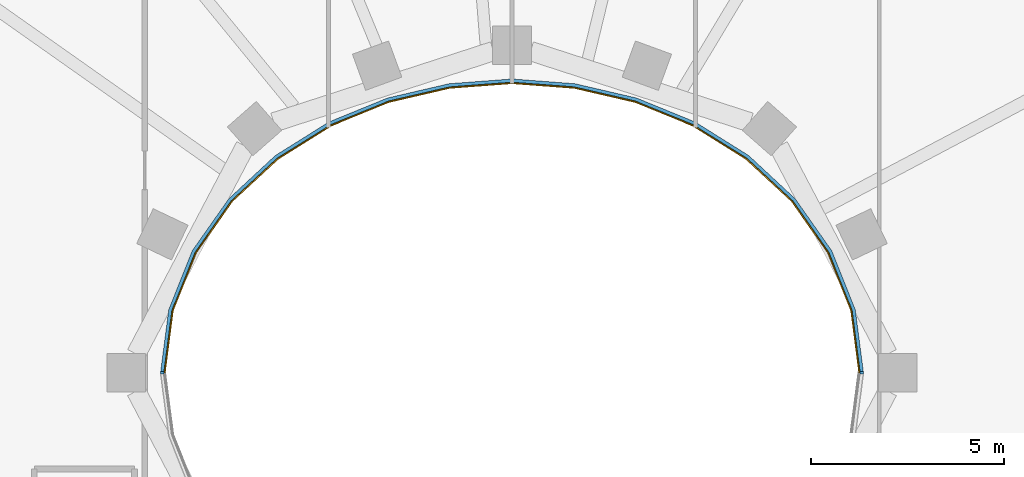
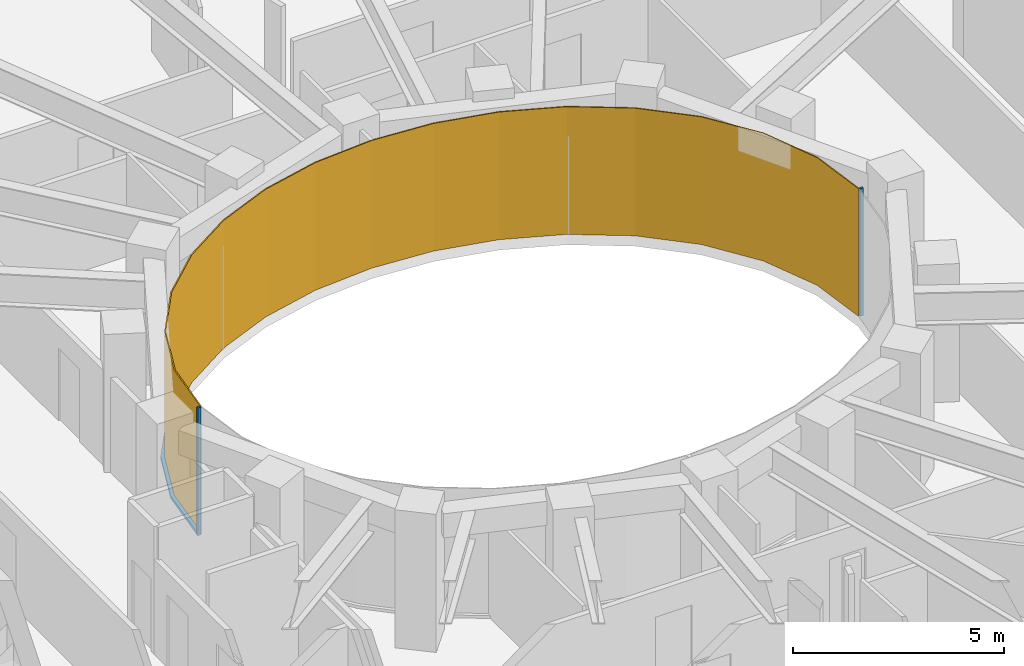
# One storey, part 12 of 19: 3 members, 1 curtain wall.
"""IFC4 building model written with IfcOpenShell, lengths in metres."""

from ifc_helpers import new_model, si_unit, direction, frame, origin, origin_2d, place, context, subcontext, project, spatial, polyline, rectangle, outline, extrude, material, layer, layer_set, material_profile, profile_set, type_object, element, aggregate, save


model = new_model("IFC4")

# Units and contexts
model_context = context("Model", 3, precision=1e-05, world=origin(), true_north=direction((0.0, 1.0)))
body_context = subcontext(model_context, "Body", "Model", "MODEL_VIEW")
ifc_project = project(units=[si_unit("LENGTHUNIT", "METRE"), si_unit("AREAUNIT", "SQUARE_METRE"), si_unit("VOLUMEUNIT", "CUBIC_METRE"), si_unit("PLANEANGLEUNIT", "RADIAN"), si_unit("MASSUNIT", "GRAM", prefix="KILO")], contexts=[model_context])

# Member
ifc_material_1 = material(Name="Steel S355 fire-resisting frame", Category="steel")
ifc_material_profile = material_profile(ifc_material_1, rectangle(XDim=0.090087890625, YDim=0.06005859375, at=origin_2d()), Name="90x60")
ifc_profile_set = profile_set([ifc_material_profile], Name="Steel S355 fire-resisting frame")
member_type_1 = type_object("IfcMemberType", Name="ENV-MULLION-W-90", PredefinedType="MULLION", material=ifc_profile_set)
site_placement = place(None, origin())
building_placement = place(site_placement, origin())
storey_placement = place(building_placement, frame((0.0, 0.0, 233.5)))
member_1_placement = place(storey_placement, frame((9.076904296875, 0.0, 0.0), z_axis=(0.0, 0.0, 1.0), x_axis=(1.0, 0.0, 0.0)))
member_1 = element("IfcMember", 1, at=member_1_placement, type_object=member_type_1, Name="Mullion W well vertex 01", PredefinedType="MULLION", context=body_context, shape_type="SweptSolid", body=[
    extrude(rectangle(XDim=0.090087890625, YDim=0.06005859375, at=origin_2d()), origin(), (0.0, 0.0, 1.0), 3.699951171875),
])

member_2_placement = place(storey_placement, frame((-9.076904296875, 0.0, 0.0), z_axis=(0.0, 0.0, 1.0), x_axis=(-1.0, 0.0, 0.0)))
member_2 = element("IfcMember", 2, at=member_2_placement, type_object=member_type_1, Name="Mullion W well vertex 17", PredefinedType="MULLION", context=body_context, shape_type="SweptSolid", body=[
    extrude(rectangle(XDim=0.090087890625, YDim=0.06005859375, at=origin_2d()), origin(), (0.0, 0.0, 1.0), 3.699951171875),
])

ifc_material_2 = material(Name="Steel S355 fire-resisting frame", Category="steel")
member_type_2 = type_object("IfcMemberType", Name="ENV-TRANSOM-W", PredefinedType="USERDEFINED", material=ifc_material_2)
member_3_placement = place(storey_placement, origin())
member_3 = element("IfcMember", 3, at=member_3_placement, type_object=member_type_2, Name="Transom W well 01-17", ObjectType="TRANSOM", PredefinedType="USERDEFINED", context=body_context, shape_type="SweptSolid", body=[
    extrude(outline(polyline([(9.119384765625, 0.02783203125), (8.910400390625, 1.63623046875), (8.29833984375, 3.167236328125), (7.35107421875, 4.5146484375), (6.1455078125, 5.6337890625), (4.75341796875, 6.50634765625), (3.233642578125, 7.127685546875), (1.635498046875, 7.498779296875), (0.0, 7.622314453125), (-1.635498046875, 7.498779296875), (-3.233642578125, 7.127685546875), (-4.75341796875, 6.50634765625), (-6.1455078125, 5.6337890625), (-7.35107421875, 4.5146484375), (-8.29833984375, 3.167236328125), (-8.910400390625, 1.63623046875), (-9.119384765625, 0.02783203125), (-9.02880859375, 0.02783203125), (-8.822509765625, 1.61328125), (-8.21875, 3.124267578125), (-7.282958984375, 4.455078125), (-6.090576171875, 5.56201171875), (-4.712158203125, 6.426025390625), (-3.206298828125, 7.04150390625), (-1.621826171875, 7.40966796875), (0.0, 7.531982421875), (1.621826171875, 7.40966796875), (3.206298828125, 7.04150390625), (4.712158203125, 6.426025390625), (6.090576171875, 5.56201171875), (7.282958984375, 4.455078125), (8.21875, 3.124267578125), (8.822509765625, 1.61328125), (9.02880859375, 0.02783203125), (9.119384765625, 0.02783203125)])), origin(), (0.0, 0.0, 1.0), 0.080078125),
])

# Site, building, storey
site = spatial("IfcSite", under=ifc_project, at=site_placement, CompositionType="ELEMENT")
building = spatial("IfcBuilding", under=site, at=building_placement, Name="Noorbagh Ring Tower", CompositionType="ELEMENT")
storey = spatial("IfcBuildingStorey", under=building, at=storey_placement, Name="L48", CompositionType="ELEMENT", Elevation=233.5)

# Curtain wall
ifc_material_3 = material(Name="Glass fire-resisting E60 laminated", Category="glass")
ifc_layer = layer(ifc_material_3, 0.031982421875)
ifc_layer_set = layer_set([ifc_layer], Name="Glass fire-resisting E60 laminated")
curtain_wall_type = type_object("IfcCurtainWallType", Name="ENV-CW-W", PredefinedType="NOTDEFINED", material=ifc_layer_set)
curtain_wall_placement = place(storey_placement, origin())
curtain_wall = element("IfcCurtainWall", 4, at=curtain_wall_placement, inside=storey, type_object=curtain_wall_type, Name="Curtain wall W W01", PredefinedType="NOTDEFINED", context=body_context, shape_type="SweptSolid", body=[
    extrude(outline(polyline([(9.0322265625, 0.0), (8.822509765625, 1.61328125), (8.21875, 3.124267578125), (7.282958984375, 4.455078125), (6.090576171875, 5.56201171875), (4.712158203125, 6.426025390625), (3.206298828125, 7.04150390625), (1.621826171875, 7.40966796875), (0.0, 7.531982421875), (-1.621826171875, 7.40966796875), (-3.206298828125, 7.04150390625), (-4.712158203125, 6.426025390625), (-6.090576171875, 5.56201171875), (-7.282958984375, 4.455078125), (-8.21875, 3.124267578125), (-8.822509765625, 1.61328125), (-9.0322265625, 0.0), (-9.0, 0.0), (-8.79150390625, 1.605224609375), (-8.1904296875, 3.10888671875), (-7.2587890625, 4.43408203125), (-6.071044921875, 5.53662109375), (-4.697509765625, 6.3974609375), (-3.196533203125, 7.010986328125), (-1.6171875, 7.3779296875), (0.0, 7.5), (1.6171875, 7.3779296875), (3.196533203125, 7.010986328125), (4.697509765625, 6.3974609375), (6.071044921875, 5.53662109375), (7.2587890625, 4.43408203125), (8.1904296875, 3.10888671875), (8.79150390625, 1.605224609375), (9.0, 0.0), (9.0322265625, 0.0)])), origin(), (0.0, 0.0, 1.0), 3.699951171875),
])

aggregate(curtain_wall, [member_1, member_2, member_3])

save(model, "model.ifc")
